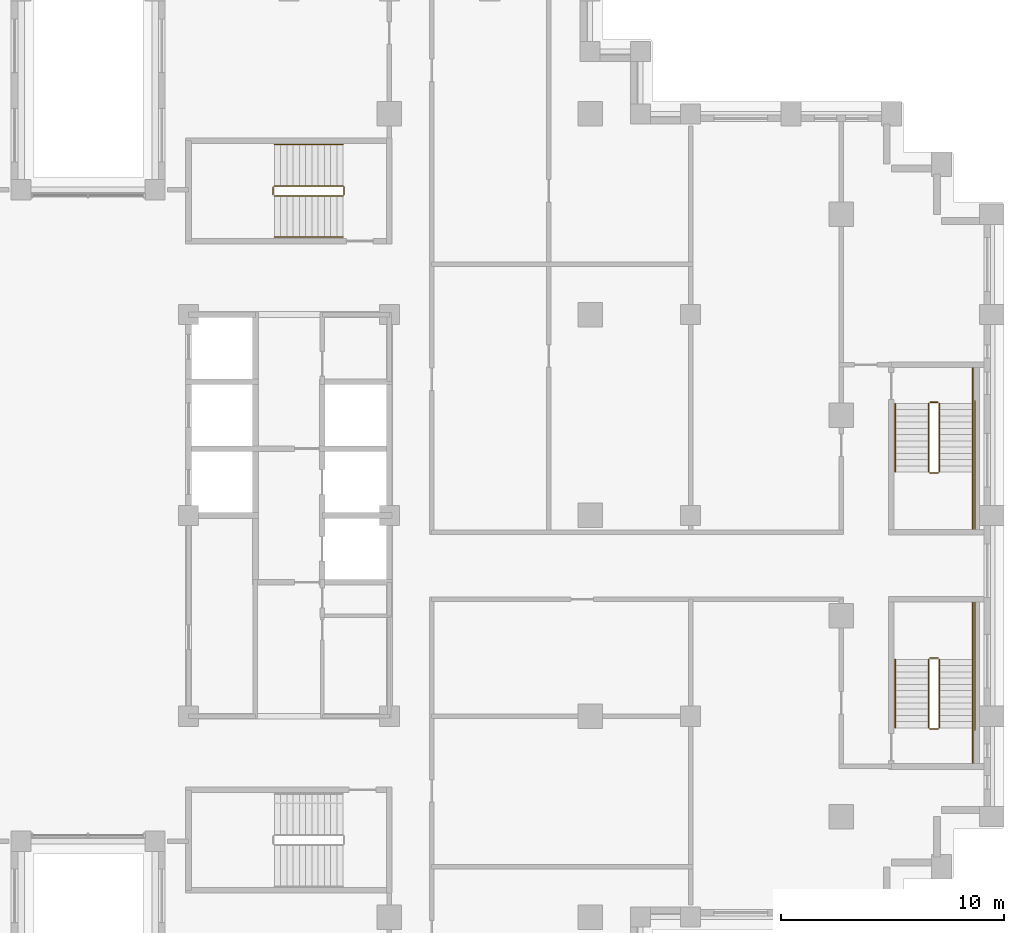
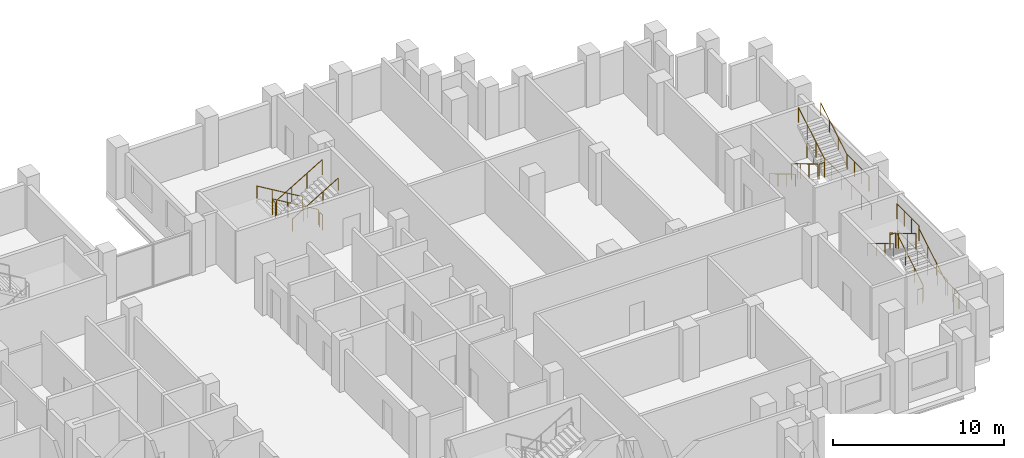
# One storey, part 15 of 15: 3 railings.
"""IFC4 building model written with IfcOpenShell, lengths in metres."""

from ifc_helpers import new_model, si_unit, direction, frame, origin, origin_2d, place, context, subcontext, project, spatial, circle, extrude, material, type_object, element, save


model = new_model("IFC4")

# Units and contexts
model_context = context("Model", 3, precision=1e-05, world=origin(), true_north=direction((0.0, 1.0)))
body_context = subcontext(model_context, "Body", "Model", "MODEL_VIEW")
ifc_project = project(units=[si_unit("LENGTHUNIT", "METRE"), si_unit("AREAUNIT", "SQUARE_METRE"), si_unit("VOLUMEUNIT", "CUBIC_METRE"), si_unit("PLANEANGLEUNIT", "RADIAN"), si_unit("MASSUNIT", "GRAM", prefix="KILO")], contexts=[model_context])

# Site, building, storey
site_placement = place(None, origin())
site = spatial("IfcSite", under=ifc_project, at=site_placement, CompositionType="ELEMENT")
building_placement = place(site_placement, origin())
building = spatial("IfcBuilding", under=site, at=building_placement, Name="Corbelhall Arena Tower", CompositionType="ELEMENT")
storey_placement = place(building_placement, frame((0.0, 0.0, 166.0)))
storey = spatial("IfcBuildingStorey", under=building, at=storey_placement, Name="L33", CompositionType="ELEMENT", Elevation=166.0)

# Railings
ifc_material = material(Name="Steel ASTM A500 Gr C", Category="steel")
railing_type = type_object("IfcRailingType", Name="IN-GD-1100", PredefinedType="GUARDRAIL", material=ifc_material)
railing_1_placement = place(storey_placement, frame((11.425048828125, 14.77490234375, 0.166748046875)))
element("IfcRailing", 1, at=railing_1_placement, inside=storey, type_object=railing_type, Name="L33 ST3 stair guards and handrails", PredefinedType="GUARDRAIL", context=body_context, shape_type="SweptSolid", body=[
    extrude(circle(Radius=0.02392578125, at=origin_2d()), frame((0.0, 0.0, 1.076171875), z_axis=(-0.859308565015, 0.0, 0.511457515432), x_axis=(0.0, -1.0, 0.0)), (0.0, 0.0, 1.0), 3.58447265625),
    extrude(circle(Radius=0.02392578125, at=origin_2d()), frame((-3.130126953125, -0.0498046875, 2.9091796875), z_axis=(0.0, -1.0, 0.0), x_axis=(1.0, 0.0, 0.0)), (0.0, 0.0, 1.0), 0.35009765625),
    extrude(circle(Radius=0.02392578125, at=origin_2d()), frame((-3.080078125, -0.449951171875, 3.076171875), z_axis=(0.859308565015, 0.0, 0.511457515432), x_axis=(0.0, 1.0, 0.0)), (0.0, 0.0, 1.0), 3.58447265625),
    extrude(circle(Radius=0.02392578125, at=origin_2d()), frame((0.050048828125, -0.0498046875, 0.9091796875), z_axis=(0.0, -1.0, 0.0), x_axis=(1.0, 0.0, 0.0)), (0.0, 0.0, 1.0), 0.35009765625),
    extrude(circle(Radius=0.02392578125, at=origin_2d()), frame((0.0, 1.85009765625, 0.8759765625), z_axis=(-0.859308565015, 0.0, 0.511457515432), x_axis=(0.0, -1.0, 0.0)), (0.0, 0.0, 1.0), 3.58447265625),
    extrude(circle(Radius=0.02392578125, at=origin_2d()), frame((-3.080078125, -2.2998046875, 2.8759765625), z_axis=(0.859308565015, 0.0, 0.511457515432), x_axis=(0.0, 1.0, 0.0)), (0.0, 0.0, 1.0), 3.58447265625),
    extrude(circle(Radius=0.02099609375, at=origin_2d()), origin(), (0.0, 0.0, 1.0), 1.052001953125),
    extrude(circle(Radius=0.02099609375, at=origin_2d()), frame((-1.026611328125, 0.0, 0.611083984375)), (0.0, 0.0, 1.0), 1.052001953125),
    extrude(circle(Radius=0.02099609375, at=origin_2d()), frame((-2.053466796875, 0.0, 1.22216796875)), (0.0, 0.0, 1.0), 1.052001953125),
    extrude(circle(Radius=0.02099609375, at=origin_2d()), frame((-3.080078125, 0.0, 1.833251953125)), (0.0, 0.0, 1.0), 1.052001953125),
    extrude(circle(Radius=0.02099609375, at=origin_2d()), frame((-3.130126953125, -0.0498046875, 1.833251953125)), (0.0, 0.0, 1.0), 1.052001953125),
    extrude(circle(Radius=0.02099609375, at=origin_2d()), frame((-3.130126953125, -0.39990234375, 1.833251953125)), (0.0, 0.0, 1.0), 1.052001953125),
    extrude(circle(Radius=0.02099609375, at=origin_2d()), frame((-3.080078125, -0.449951171875, 2.0)), (0.0, 0.0, 1.0), 1.052001953125),
    extrude(circle(Radius=0.02099609375, at=origin_2d()), frame((-2.053466796875, -0.449951171875, 2.611083984375)), (0.0, 0.0, 1.0), 1.052001953125),
    extrude(circle(Radius=0.02099609375, at=origin_2d()), frame((-1.026611328125, -0.449951171875, 3.22216796875)), (0.0, 0.0, 1.0), 1.052001953125),
    extrude(circle(Radius=0.02099609375, at=origin_2d()), frame((0.0, -0.449951171875, 3.833251953125)), (0.0, 0.0, 1.0), 1.052001953125),
    extrude(circle(Radius=0.02099609375, at=origin_2d()), frame((0.050048828125, -0.0498046875, -0.166748046875)), (0.0, 0.0, 1.0), 1.052001953125),
    extrude(circle(Radius=0.02099609375, at=origin_2d()), frame((0.050048828125, -0.39990234375, -0.166748046875)), (0.0, 0.0, 1.0), 1.052001953125),
    extrude(circle(Radius=0.02099609375, at=origin_2d()), frame((0.0, 1.85009765625, 0.0)), (0.0, 0.0, 1.0), 0.851806640625),
    extrude(circle(Radius=0.02099609375, at=origin_2d()), frame((-1.026611328125, 1.85009765625, 0.611083984375)), (0.0, 0.0, 1.0), 0.851806640625),
    extrude(circle(Radius=0.02099609375, at=origin_2d()), frame((-2.053466796875, 1.85009765625, 1.22216796875)), (0.0, 0.0, 1.0), 0.851806640625),
    extrude(circle(Radius=0.02099609375, at=origin_2d()), frame((-3.080078125, 1.85009765625, 1.833251953125)), (0.0, 0.0, 1.0), 0.851806640625),
    extrude(circle(Radius=0.02099609375, at=origin_2d()), frame((-3.080078125, -2.2998046875, 2.0)), (0.0, 0.0, 1.0), 0.851806640625),
    extrude(circle(Radius=0.02099609375, at=origin_2d()), frame((-2.053466796875, -2.2998046875, 2.611083984375)), (0.0, 0.0, 1.0), 0.851806640625),
    extrude(circle(Radius=0.02099609375, at=origin_2d()), frame((-1.026611328125, -2.2998046875, 3.22216796875)), (0.0, 0.0, 1.0), 0.851806640625),
    extrude(circle(Radius=0.02099609375, at=origin_2d()), frame((0.0, -2.2998046875, 3.833251953125)), (0.0, 0.0, 1.0), 0.851806640625),
])
railing_2_placement = place(storey_placement, frame((38.14990234375, -9.52490234375, 0.166748046875)))
element("IfcRailing", 2, at=railing_2_placement, inside=storey, type_object=railing_type, Name="L33 SD1 stair guards and handrails", PredefinedType="GUARDRAIL", context=body_context, shape_type="SweptSolid", body=[
    extrude(circle(Radius=0.02392578125, at=origin_2d()), frame((0.0, 0.0, 1.076171875), z_axis=(0.0, 0.859290745958, 0.51148745235), x_axis=(-1.0, 0.0, 0.0)), (0.0, 0.0, 1.0), 3.584228515625),
    extrude(circle(Radius=0.02392578125, at=origin_2d()), frame((-0.0498046875, 3.1298828125, 2.9091796875), z_axis=(-1.0, 0.0, 0.0), x_axis=(0.0, -1.0, 0.0)), (0.0, 0.0, 1.0), 0.375),
    extrude(circle(Radius=0.02392578125, at=origin_2d()), frame((1.5, 3.079833984375, 2.9091796875), z_axis=(0.0, 1.0, 0.0), x_axis=(-1.0, 0.0, 0.0)), (0.0, 0.0, 1.0), 2.570068359375),
    extrude(circle(Radius=0.02392578125, at=origin_2d()), frame((-0.474853515625, 3.079833984375, 3.076171875), z_axis=(0.0, -0.859290745958, 0.51148745235), x_axis=(1.0, 0.0, 0.0)), (0.0, 0.0, 1.0), 3.584228515625),
    extrude(circle(Radius=0.02392578125, at=origin_2d()), frame((-0.0498046875, -0.050048828125, 0.9091796875), z_axis=(-1.0, 0.0, 0.0), x_axis=(0.0, -1.0, 0.0)), (0.0, 0.0, 1.0), 0.375),
    extrude(circle(Radius=0.02392578125, at=origin_2d()), frame((1.5, -1.60009765625, 0.9091796875), z_axis=(0.0, 1.0, 0.0), x_axis=(-1.0, 0.0, 0.0)), (0.0, 0.0, 1.0), 1.60009765625),
    extrude(circle(Radius=0.02392578125, at=origin_2d()), frame((1.60009765625, -0.10009765625, 0.9091796875), z_axis=(0.0, 1.0, 0.0), x_axis=(-1.0, 0.0, 0.0)), (0.0, 0.0, 1.0), 5.85009765625),
    extrude(circle(Radius=0.02392578125, at=origin_2d()), frame((1.5, 0.0, 0.8759765625), z_axis=(0.0, 0.859290745958, 0.51148745235), x_axis=(-1.0, 0.0, 0.0)), (0.0, 0.0, 1.0), 3.584228515625),
    extrude(circle(Radius=0.02392578125, at=origin_2d()), frame((-1.974853515625, 3.079833984375, 2.8759765625), z_axis=(0.0, -0.859290745958, 0.51148745235), x_axis=(1.0, 0.0, 0.0)), (0.0, 0.0, 1.0), 3.584228515625),
    extrude(circle(Radius=0.02099609375, at=origin_2d()), origin(), (0.0, 0.0, 1.0), 1.052001953125),
    extrude(circle(Radius=0.02099609375, at=origin_2d()), frame((0.0, 1.026611328125, 0.611083984375)), (0.0, 0.0, 1.0), 1.052001953125),
    extrude(circle(Radius=0.02099609375, at=origin_2d()), frame((0.0, 2.05322265625, 1.22216796875)), (0.0, 0.0, 1.0), 1.052001953125),
    extrude(circle(Radius=0.02099609375, at=origin_2d()), frame((0.0, 3.079833984375, 1.833251953125)), (0.0, 0.0, 1.0), 1.052001953125),
    extrude(circle(Radius=0.02099609375, at=origin_2d()), frame((-0.0498046875, 3.1298828125, 1.833251953125)), (0.0, 0.0, 1.0), 1.052001953125),
    extrude(circle(Radius=0.02099609375, at=origin_2d()), frame((-0.4248046875, 3.1298828125, 1.833251953125)), (0.0, 0.0, 1.0), 1.052001953125),
    extrude(circle(Radius=0.02099609375, at=origin_2d()), frame((1.5, 3.079833984375, 1.833251953125)), (0.0, 0.0, 1.0), 1.052001953125),
    extrude(circle(Radius=0.02099609375, at=origin_2d()), frame((1.5, 3.9365234375, 1.833251953125)), (0.0, 0.0, 1.0), 1.052001953125),
    extrude(circle(Radius=0.02099609375, at=origin_2d()), frame((1.5, 4.793212890625, 1.833251953125)), (0.0, 0.0, 1.0), 1.052001953125),
    extrude(circle(Radius=0.02099609375, at=origin_2d()), frame((1.5, 5.64990234375, 1.833251953125)), (0.0, 0.0, 1.0), 1.052001953125),
    extrude(circle(Radius=0.02099609375, at=origin_2d()), frame((-0.474853515625, 3.079833984375, 2.0)), (0.0, 0.0, 1.0), 1.052001953125),
    extrude(circle(Radius=0.02099609375, at=origin_2d()), frame((-0.474853515625, 2.05322265625, 2.611083984375)), (0.0, 0.0, 1.0), 1.052001953125),
    extrude(circle(Radius=0.02099609375, at=origin_2d()), frame((-0.474853515625, 1.026611328125, 3.22216796875)), (0.0, 0.0, 1.0), 1.052001953125),
    extrude(circle(Radius=0.02099609375, at=origin_2d()), frame((-0.474853515625, 0.0, 3.833251953125)), (0.0, 0.0, 1.0), 1.052001953125),
    extrude(circle(Radius=0.02099609375, at=origin_2d()), frame((-0.0498046875, -0.050048828125, -0.166748046875)), (0.0, 0.0, 1.0), 1.052001953125),
    extrude(circle(Radius=0.02099609375, at=origin_2d()), frame((-0.4248046875, -0.050048828125, -0.166748046875)), (0.0, 0.0, 1.0), 1.052001953125),
    extrude(circle(Radius=0.02099609375, at=origin_2d()), frame((1.5, -1.60009765625, -0.166748046875)), (0.0, 0.0, 1.0), 1.052001953125),
    extrude(circle(Radius=0.02099609375, at=origin_2d()), frame((1.5, -0.800048828125, -0.166748046875)), (0.0, 0.0, 1.0), 1.052001953125),
    extrude(circle(Radius=0.02099609375, at=origin_2d()), frame((1.5, 0.0, -0.166748046875)), (0.0, 0.0, 1.0), 1.052001953125),
    extrude(circle(Radius=0.02099609375, at=origin_2d()), frame((1.60009765625, -0.10009765625, -0.166748046875)), (0.0, 0.0, 1.0), 1.052001953125),
    extrude(circle(Radius=0.02099609375, at=origin_2d()), frame((1.60009765625, 1.06982421875, -0.166748046875)), (0.0, 0.0, 1.0), 1.052001953125),
    extrude(circle(Radius=0.02099609375, at=origin_2d()), frame((1.60009765625, 2.239990234375, -0.166748046875)), (0.0, 0.0, 1.0), 1.052001953125),
    extrude(circle(Radius=0.02099609375, at=origin_2d()), frame((1.60009765625, 3.409912109375, -0.166748046875)), (0.0, 0.0, 1.0), 1.052001953125),
    extrude(circle(Radius=0.02099609375, at=origin_2d()), frame((1.60009765625, 4.580078125, -0.166748046875)), (0.0, 0.0, 1.0), 1.052001953125),
    extrude(circle(Radius=0.02099609375, at=origin_2d()), frame((1.60009765625, 5.75, -0.166748046875)), (0.0, 0.0, 1.0), 1.052001953125),
    extrude(circle(Radius=0.02099609375, at=origin_2d()), frame((1.5, 0.0, 0.0)), (0.0, 0.0, 1.0), 0.851806640625),
    extrude(circle(Radius=0.02099609375, at=origin_2d()), frame((1.5, 1.026611328125, 0.611083984375)), (0.0, 0.0, 1.0), 0.851806640625),
    extrude(circle(Radius=0.02099609375, at=origin_2d()), frame((1.5, 2.05322265625, 1.22216796875)), (0.0, 0.0, 1.0), 0.851806640625),
    extrude(circle(Radius=0.02099609375, at=origin_2d()), frame((-1.974853515625, 3.079833984375, 2.0)), (0.0, 0.0, 1.0), 0.851806640625),
    extrude(circle(Radius=0.02099609375, at=origin_2d()), frame((-1.974853515625, 2.05322265625, 2.611083984375)), (0.0, 0.0, 1.0), 0.851806640625),
    extrude(circle(Radius=0.02099609375, at=origin_2d()), frame((-1.974853515625, 1.026611328125, 3.22216796875)), (0.0, 0.0, 1.0), 0.851806640625),
    extrude(circle(Radius=0.02099609375, at=origin_2d()), frame((-1.974853515625, 0.0, 3.833251953125)), (0.0, 0.0, 1.0), 0.851806640625),
])
railing_3_placement = place(storey_placement, frame((37.675048828125, 5.02490234375, 0.166748046875)))
element("IfcRailing", 3, at=railing_3_placement, inside=storey, type_object=railing_type, Name="L33 SD2 stair guards and handrails", PredefinedType="GUARDRAIL", context=body_context, shape_type="SweptSolid", body=[
    extrude(circle(Radius=0.02392578125, at=origin_2d()), frame((0.0, 0.0, 1.076171875), z_axis=(0.0, -0.859290745958, 0.51148745235), x_axis=(1.0, 0.0, 0.0)), (0.0, 0.0, 1.0), 3.584228515625),
    extrude(circle(Radius=0.02392578125, at=origin_2d()), frame((0.050048828125, -3.1298828125, 2.9091796875), z_axis=(1.0, 0.0, 0.0), x_axis=(0.0, 1.0, 0.0)), (0.0, 0.0, 1.0), 0.375),
    extrude(circle(Radius=0.02392578125, at=origin_2d()), frame((1.974853515625, -3.079833984375, 2.9091796875), z_axis=(0.0, -1.0, 0.0), x_axis=(1.0, 0.0, 0.0)), (0.0, 0.0, 1.0), 2.570068359375),
    extrude(circle(Radius=0.02392578125, at=origin_2d()), frame((0.474853515625, -3.079833984375, 3.076171875), z_axis=(0.0, 0.859290745958, 0.51148745235), x_axis=(-1.0, 0.0, 0.0)), (0.0, 0.0, 1.0), 3.584228515625),
    extrude(circle(Radius=0.02392578125, at=origin_2d()), frame((0.050048828125, 0.050048828125, 0.9091796875), z_axis=(1.0, 0.0, 0.0), x_axis=(0.0, 1.0, 0.0)), (0.0, 0.0, 1.0), 0.375),
    extrude(circle(Radius=0.02392578125, at=origin_2d()), frame((1.974853515625, 1.60009765625, 0.9091796875), z_axis=(0.0, -1.0, 0.0), x_axis=(1.0, 0.0, 0.0)), (0.0, 0.0, 1.0), 1.60009765625),
    extrude(circle(Radius=0.02392578125, at=origin_2d()), frame((2.074951171875, 0.10009765625, 0.9091796875), z_axis=(0.0, -1.0, 0.0), x_axis=(1.0, 0.0, 0.0)), (0.0, 0.0, 1.0), 5.85009765625),
    extrude(circle(Radius=0.02392578125, at=origin_2d()), frame((-1.5, 0.0, 0.8759765625), z_axis=(0.0, -0.859290745958, 0.51148745235), x_axis=(1.0, 0.0, 0.0)), (0.0, 0.0, 1.0), 3.584228515625),
    extrude(circle(Radius=0.02392578125, at=origin_2d()), frame((1.974853515625, -3.079833984375, 2.8759765625), z_axis=(0.0, 0.859290745958, 0.51148745235), x_axis=(-1.0, 0.0, 0.0)), (0.0, 0.0, 1.0), 3.584228515625),
    extrude(circle(Radius=0.02099609375, at=origin_2d()), origin(), (0.0, 0.0, 1.0), 1.052001953125),
    extrude(circle(Radius=0.02099609375, at=origin_2d()), frame((0.0, -1.026611328125, 0.611083984375)), (0.0, 0.0, 1.0), 1.052001953125),
    extrude(circle(Radius=0.02099609375, at=origin_2d()), frame((0.0, -2.05322265625, 1.22216796875)), (0.0, 0.0, 1.0), 1.052001953125),
    extrude(circle(Radius=0.02099609375, at=origin_2d()), frame((0.0, -3.079833984375, 1.833251953125)), (0.0, 0.0, 1.0), 1.052001953125),
    extrude(circle(Radius=0.02099609375, at=origin_2d()), frame((0.050048828125, -3.1298828125, 1.833251953125)), (0.0, 0.0, 1.0), 1.052001953125),
    extrude(circle(Radius=0.02099609375, at=origin_2d()), frame((0.425048828125, -3.1298828125, 1.833251953125)), (0.0, 0.0, 1.0), 1.052001953125),
    extrude(circle(Radius=0.02099609375, at=origin_2d()), frame((1.974853515625, -3.079833984375, 1.833251953125)), (0.0, 0.0, 1.0), 1.052001953125),
    extrude(circle(Radius=0.02099609375, at=origin_2d()), frame((1.974853515625, -3.9365234375, 1.833251953125)), (0.0, 0.0, 1.0), 1.052001953125),
    extrude(circle(Radius=0.02099609375, at=origin_2d()), frame((1.974853515625, -4.793212890625, 1.833251953125)), (0.0, 0.0, 1.0), 1.052001953125),
    extrude(circle(Radius=0.02099609375, at=origin_2d()), frame((1.974853515625, -5.64990234375, 1.833251953125)), (0.0, 0.0, 1.0), 1.052001953125),
    extrude(circle(Radius=0.02099609375, at=origin_2d()), frame((0.474853515625, -3.079833984375, 2.0)), (0.0, 0.0, 1.0), 1.052001953125),
    extrude(circle(Radius=0.02099609375, at=origin_2d()), frame((0.474853515625, -2.05322265625, 2.611083984375)), (0.0, 0.0, 1.0), 1.052001953125),
    extrude(circle(Radius=0.02099609375, at=origin_2d()), frame((0.474853515625, -1.026611328125, 3.22216796875)), (0.0, 0.0, 1.0), 1.052001953125),
    extrude(circle(Radius=0.02099609375, at=origin_2d()), frame((0.474853515625, 0.0, 3.833251953125)), (0.0, 0.0, 1.0), 1.052001953125),
    extrude(circle(Radius=0.02099609375, at=origin_2d()), frame((0.050048828125, 0.050048828125, -0.166748046875)), (0.0, 0.0, 1.0), 1.052001953125),
    extrude(circle(Radius=0.02099609375, at=origin_2d()), frame((0.425048828125, 0.050048828125, -0.166748046875)), (0.0, 0.0, 1.0), 1.052001953125),
    extrude(circle(Radius=0.02099609375, at=origin_2d()), frame((1.974853515625, 1.60009765625, -0.166748046875)), (0.0, 0.0, 1.0), 1.052001953125),
    extrude(circle(Radius=0.02099609375, at=origin_2d()), frame((1.974853515625, 0.800048828125, -0.166748046875)), (0.0, 0.0, 1.0), 1.052001953125),
    extrude(circle(Radius=0.02099609375, at=origin_2d()), frame((1.974853515625, 0.0, -0.166748046875)), (0.0, 0.0, 1.0), 1.052001953125),
    extrude(circle(Radius=0.02099609375, at=origin_2d()), frame((2.074951171875, 0.10009765625, -0.166748046875)), (0.0, 0.0, 1.0), 1.052001953125),
    extrude(circle(Radius=0.02099609375, at=origin_2d()), frame((2.074951171875, -1.06982421875, -0.166748046875)), (0.0, 0.0, 1.0), 1.052001953125),
    extrude(circle(Radius=0.02099609375, at=origin_2d()), frame((2.074951171875, -2.239990234375, -0.166748046875)), (0.0, 0.0, 1.0), 1.052001953125),
    extrude(circle(Radius=0.02099609375, at=origin_2d()), frame((2.074951171875, -3.409912109375, -0.166748046875)), (0.0, 0.0, 1.0), 1.052001953125),
    extrude(circle(Radius=0.02099609375, at=origin_2d()), frame((2.074951171875, -4.580078125, -0.166748046875)), (0.0, 0.0, 1.0), 1.052001953125),
    extrude(circle(Radius=0.02099609375, at=origin_2d()), frame((2.074951171875, -5.75, -0.166748046875)), (0.0, 0.0, 1.0), 1.052001953125),
    extrude(circle(Radius=0.02099609375, at=origin_2d()), frame((-1.5, 0.0, 0.0)), (0.0, 0.0, 1.0), 0.851806640625),
    extrude(circle(Radius=0.02099609375, at=origin_2d()), frame((-1.5, -1.026611328125, 0.611083984375)), (0.0, 0.0, 1.0), 0.851806640625),
    extrude(circle(Radius=0.02099609375, at=origin_2d()), frame((-1.5, -2.05322265625, 1.22216796875)), (0.0, 0.0, 1.0), 0.851806640625),
    extrude(circle(Radius=0.02099609375, at=origin_2d()), frame((-1.5, -3.079833984375, 1.833251953125)), (0.0, 0.0, 1.0), 0.851806640625),
    extrude(circle(Radius=0.02099609375, at=origin_2d()), frame((1.974853515625, -3.079833984375, 2.0)), (0.0, 0.0, 1.0), 0.851806640625),
    extrude(circle(Radius=0.02099609375, at=origin_2d()), frame((1.974853515625, -2.05322265625, 2.611083984375)), (0.0, 0.0, 1.0), 0.851806640625),
    extrude(circle(Radius=0.02099609375, at=origin_2d()), frame((1.974853515625, -1.026611328125, 3.22216796875)), (0.0, 0.0, 1.0), 0.851806640625),
    extrude(circle(Radius=0.02099609375, at=origin_2d()), frame((1.974853515625, 0.0, 3.833251953125)), (0.0, 0.0, 1.0), 0.851806640625),
])

save(model, "model.ifc")
